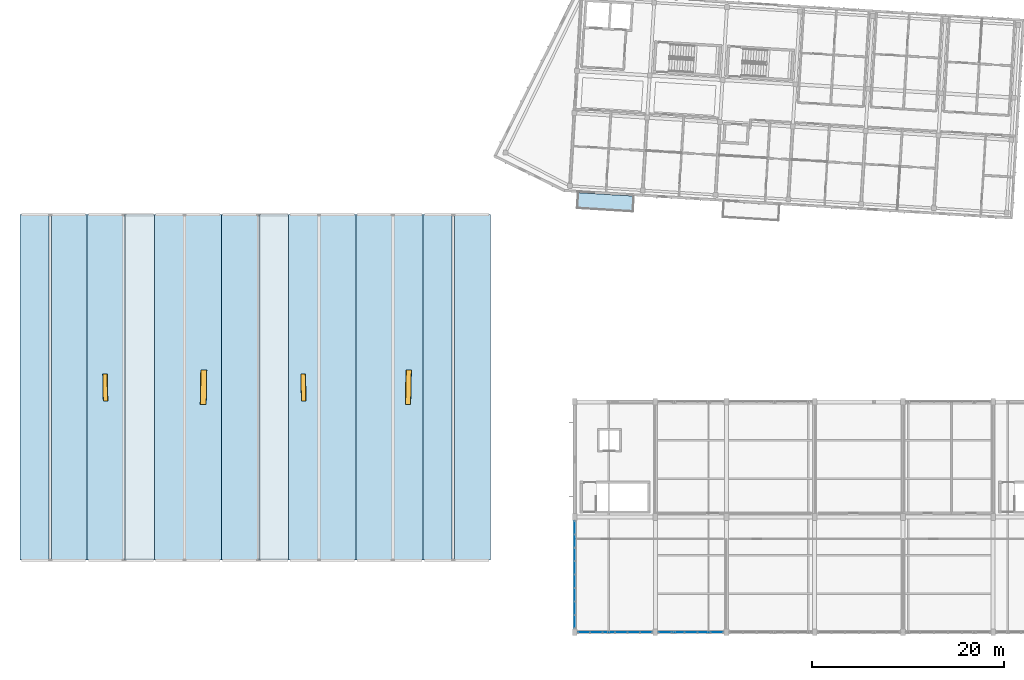
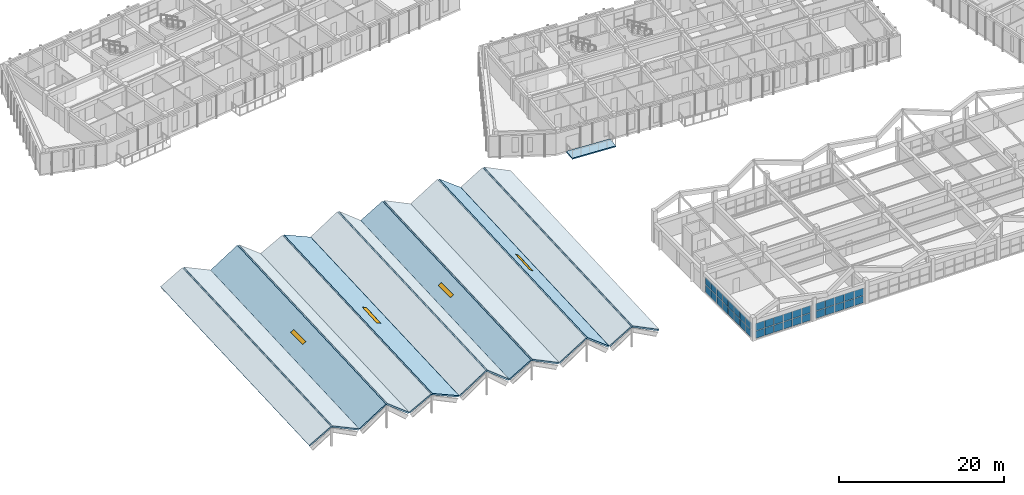
# One storey, part 66 of 127: 38 plates, 15 slabs, 4 windows, 4 openings, 3 elements without a shape of their own.
"""IFC4 building model written with IfcOpenShell, lengths in metres."""

from ifc_helpers import new_model, si_unit, direction, frame, origin, origin_2d, place, context, subcontext, project, spatial, polyline, rectangle, outline, extrude, material, layer, layer_set, type_object, element, fill, aggregate, save


model = new_model("IFC4")

# Units and contexts
model_context = context("Model", 3, precision=1e-05, world=origin(), true_north=direction((0.0, 1.0)))
body_context = subcontext(model_context, "Body", "Model", "MODEL_VIEW")
ifc_project = project(units=[si_unit("LENGTHUNIT", "METRE"), si_unit("AREAUNIT", "SQUARE_METRE"), si_unit("VOLUMEUNIT", "CUBIC_METRE"), si_unit("PLANEANGLEUNIT", "RADIAN"), si_unit("MASSUNIT", "GRAM", prefix="KILO")], contexts=[model_context])

# Site, building, storey
site_placement = place(None, origin())
site = spatial("IfcSite", under=ifc_project, at=site_placement, CompositionType="ELEMENT")
building_placement = place(site_placement, origin())
building = spatial("IfcBuilding", under=site, at=building_placement, Name="Kestramere Prow Commons", CompositionType="ELEMENT")
storey_placement = place(building_placement, frame((0.0, 0.0, 8.39990234375)))
storey = spatial("IfcBuildingStorey", under=building, at=storey_placement, Name="L02", CompositionType="ELEMENT", Elevation=8.39990234375)

# Curtain wall, plates
ifc_material_1 = material(Name="Anodised Aluminium and Low-E Glass", Category="aluminium")
curtain_wall_type_1 = type_object("IfcCurtainWallType", Name="CW-28 Glazed Curtain Wall 7800x2340", PredefinedType="USERDEFINED", material=ifc_material_1)
curtain_wall_1_placement = place(storey_placement, origin())
curtain_wall_1 = element("IfcCurtainWall", 1, at=curtain_wall_1_placement, inside=storey, type_object=curtain_wall_type_1, Name="Market L02 South Shopfront 1", ObjectType="GLAZED CURTAIN WALL", PredefinedType="USERDEFINED")
ifc_material_2 = material(Name="Low-E Laminated Double Glazing", Category="glass")
ifc_layer_1 = layer(ifc_material_2, 0.028076171875)
ifc_layer_set_1 = layer_set([ifc_layer_1], Name="Low-E Laminated Double Glazing")
plate_type = type_object("IfcPlateType", Name="CW-PNL-28", PredefinedType="CURTAIN_PANEL", material=ifc_layer_set_1)
plate_1_placement = place(storey_placement, frame((67.433837890625, 0.0, 0.06494140625), z_axis=(0.0, 0.0, 1.0), x_axis=(-1.0, 0.0, 0.0)))
plate_1 = element("IfcPlate", 2, at=plate_1_placement, type_object=plate_type, Name="CW-28 panel 1.1", PredefinedType="CURTAIN_PANEL", context=body_context, shape_type="SweptSolid", body=[
    extrude(rectangle(XDim=1.202392578125, YDim=0.028076171875, at=origin_2d()), origin(), (0.0, 0.0, 1.0), 1.072509765625),
])
plate_2_placement = place(storey_placement, frame((67.433837890625, 0.0, 1.20263671875), z_axis=(0.0, 0.0, 1.0), x_axis=(-1.0, 0.0, 0.0)))
plate_2 = element("IfcPlate", 3, at=plate_2_placement, type_object=plate_type, Name="CW-28 panel 1.2", PredefinedType="CURTAIN_PANEL", context=body_context, shape_type="SweptSolid", body=[
    extrude(rectangle(XDim=1.202392578125, YDim=0.028076171875, at=origin_2d()), origin(), (0.0, 0.0, 1.0), 1.072509765625),
])
plate_3_placement = place(storey_placement, frame((66.14990234375, 0.0, 0.06494140625), z_axis=(0.0, 0.0, 1.0), x_axis=(-1.0, 0.0, 0.0)))
plate_3 = element("IfcPlate", 4, at=plate_3_placement, type_object=plate_type, Name="CW-28 panel 2.1", PredefinedType="CURTAIN_PANEL", context=body_context, shape_type="SweptSolid", body=[
    extrude(rectangle(XDim=1.235107421875, YDim=0.028076171875, at=origin_2d()), origin(), (0.0, 0.0, 1.0), 1.072509765625),
])
plate_4_placement = place(storey_placement, frame((66.14990234375, 0.0, 1.20263671875), z_axis=(0.0, 0.0, 1.0), x_axis=(-1.0, 0.0, 0.0)))
plate_4 = element("IfcPlate", 5, at=plate_4_placement, type_object=plate_type, Name="CW-28 panel 2.2", PredefinedType="CURTAIN_PANEL", context=body_context, shape_type="SweptSolid", body=[
    extrude(rectangle(XDim=1.235107421875, YDim=0.028076171875, at=origin_2d()), origin(), (0.0, 0.0, 1.0), 1.072509765625),
])
plate_5_placement = place(storey_placement, frame((64.85009765625, 0.0, 0.06494140625), z_axis=(0.0, 0.0, 1.0), x_axis=(-1.0, 0.0, 0.0)))
plate_5 = element("IfcPlate", 6, at=plate_5_placement, type_object=plate_type, Name="CW-28 panel 3.1", PredefinedType="CURTAIN_PANEL", context=body_context, shape_type="SweptSolid", body=[
    extrude(rectangle(XDim=1.235107421875, YDim=0.028076171875, at=origin_2d()), origin(), (0.0, 0.0, 1.0), 1.072509765625),
])
plate_6_placement = place(storey_placement, frame((64.85009765625, 0.0, 1.20263671875), z_axis=(0.0, 0.0, 1.0), x_axis=(-1.0, 0.0, 0.0)))
plate_6 = element("IfcPlate", 7, at=plate_6_placement, type_object=plate_type, Name="CW-28 panel 3.2", PredefinedType="CURTAIN_PANEL", context=body_context, shape_type="SweptSolid", body=[
    extrude(rectangle(XDim=1.235107421875, YDim=0.028076171875, at=origin_2d()), origin(), (0.0, 0.0, 1.0), 1.072509765625),
])
plate_7_placement = place(storey_placement, frame((63.550048828125, 0.0, 0.06494140625), z_axis=(0.0, 0.0, 1.0), x_axis=(-1.0, 0.0, 0.0)))
plate_7 = element("IfcPlate", 8, at=plate_7_placement, type_object=plate_type, Name="CW-28 panel 4.1", PredefinedType="CURTAIN_PANEL", context=body_context, shape_type="SweptSolid", body=[
    extrude(rectangle(XDim=1.235107421875, YDim=0.028076171875, at=origin_2d()), origin(), (0.0, 0.0, 1.0), 1.072509765625),
])
plate_8_placement = place(storey_placement, frame((63.550048828125, 0.0, 1.20263671875), z_axis=(0.0, 0.0, 1.0), x_axis=(-1.0, 0.0, 0.0)))
plate_8 = element("IfcPlate", 9, at=plate_8_placement, type_object=plate_type, Name="CW-28 panel 4.2", PredefinedType="CURTAIN_PANEL", context=body_context, shape_type="SweptSolid", body=[
    extrude(rectangle(XDim=1.235107421875, YDim=0.028076171875, at=origin_2d()), origin(), (0.0, 0.0, 1.0), 1.072509765625),
])
plate_9_placement = place(storey_placement, frame((62.25, 0.0, 0.06494140625), z_axis=(0.0, 0.0, 1.0), x_axis=(-1.0, 0.0, 0.0)))
plate_9 = element("IfcPlate", 10, at=plate_9_placement, type_object=plate_type, Name="CW-28 panel 5.1", PredefinedType="CURTAIN_PANEL", context=body_context, shape_type="SweptSolid", body=[
    extrude(rectangle(XDim=1.235107421875, YDim=0.028076171875, at=origin_2d()), origin(), (0.0, 0.0, 1.0), 1.072509765625),
])
plate_10_placement = place(storey_placement, frame((62.25, 0.0, 1.20263671875), z_axis=(0.0, 0.0, 1.0), x_axis=(-1.0, 0.0, 0.0)))
plate_10 = element("IfcPlate", 11, at=plate_10_placement, type_object=plate_type, Name="CW-28 panel 5.2", PredefinedType="CURTAIN_PANEL", context=body_context, shape_type="SweptSolid", body=[
    extrude(rectangle(XDim=1.235107421875, YDim=0.028076171875, at=origin_2d()), origin(), (0.0, 0.0, 1.0), 1.072509765625),
])
plate_11_placement = place(storey_placement, frame((60.96630859375, 0.0, 0.06494140625), z_axis=(0.0, 0.0, 1.0), x_axis=(-1.0, 0.0, 0.0)))
plate_11 = element("IfcPlate", 12, at=plate_11_placement, type_object=plate_type, Name="CW-28 panel 6.1", PredefinedType="CURTAIN_PANEL", context=body_context, shape_type="SweptSolid", body=[
    extrude(rectangle(XDim=1.202392578125, YDim=0.028076171875, at=origin_2d()), origin(), (0.0, 0.0, 1.0), 1.072509765625),
])
plate_12_placement = place(storey_placement, frame((60.96630859375, 0.0, 1.20263671875), z_axis=(0.0, 0.0, 1.0), x_axis=(-1.0, 0.0, 0.0)))
plate_12 = element("IfcPlate", 13, at=plate_12_placement, type_object=plate_type, Name="CW-28 panel 6.2", PredefinedType="CURTAIN_PANEL", context=body_context, shape_type="SweptSolid", body=[
    extrude(rectangle(XDim=1.202392578125, YDim=0.028076171875, at=origin_2d()), origin(), (0.0, 0.0, 1.0), 1.072509765625),
])
aggregate(curtain_wall_1, [plate_1, plate_2, plate_3, plate_4, plate_5, plate_6, plate_7, plate_8, plate_9, plate_10, plate_11, plate_12])

curtain_wall_type_2 = type_object("IfcCurtainWallType", Name="CW-29 Glazed Curtain Wall 6800x2340", PredefinedType="USERDEFINED", material=ifc_material_1)
curtain_wall_2_placement = place(storey_placement, origin())
curtain_wall_2 = element("IfcCurtainWall", 14, at=curtain_wall_2_placement, inside=storey, type_object=curtain_wall_type_2, Name="Market L02 South Shopfront 2", ObjectType="GLAZED CURTAIN WALL", PredefinedType="USERDEFINED")
plate_13_placement = place(storey_placement, frame((74.8037109375, 0.0, 0.06494140625), z_axis=(0.0, 0.0, 1.0), x_axis=(-1.0, 0.0, 0.0)))
plate_13 = element("IfcPlate", 15, at=plate_13_placement, type_object=plate_type, Name="CW-29 panel 1.1", PredefinedType="CURTAIN_PANEL", context=body_context, shape_type="SweptSolid", body=[
    extrude(rectangle(XDim=1.262451171875, YDim=0.028076171875, at=origin_2d()), origin(), (0.0, 0.0, 1.0), 1.072509765625),
])
plate_14_placement = place(storey_placement, frame((74.8037109375, 0.0, 1.20263671875), z_axis=(0.0, 0.0, 1.0), x_axis=(-1.0, 0.0, 0.0)))
plate_14 = element("IfcPlate", 16, at=plate_14_placement, type_object=plate_type, Name="CW-29 panel 1.2", PredefinedType="CURTAIN_PANEL", context=body_context, shape_type="SweptSolid", body=[
    extrude(rectangle(XDim=1.262451171875, YDim=0.028076171875, at=origin_2d()), origin(), (0.0, 0.0, 1.0), 1.072509765625),
])
plate_15_placement = place(storey_placement, frame((73.4599609375, 0.0, 0.06494140625), z_axis=(0.0, 0.0, 1.0), x_axis=(-1.0, 0.0, 0.0)))
plate_15 = element("IfcPlate", 17, at=plate_15_placement, type_object=plate_type, Name="CW-29 panel 2.1", PredefinedType="CURTAIN_PANEL", context=body_context, shape_type="SweptSolid", body=[
    extrude(rectangle(XDim=1.294921875, YDim=0.028076171875, at=origin_2d()), origin(), (0.0, 0.0, 1.0), 1.072509765625),
])
plate_16_placement = place(storey_placement, frame((73.4599609375, 0.0, 1.20263671875), z_axis=(0.0, 0.0, 1.0), x_axis=(-1.0, 0.0, 0.0)))
plate_16 = element("IfcPlate", 18, at=plate_16_placement, type_object=plate_type, Name="CW-29 panel 2.2", PredefinedType="CURTAIN_PANEL", context=body_context, shape_type="SweptSolid", body=[
    extrude(rectangle(XDim=1.294921875, YDim=0.028076171875, at=origin_2d()), origin(), (0.0, 0.0, 1.0), 1.072509765625),
])
plate_17_placement = place(storey_placement, frame((72.10009765625, 0.0, 0.06494140625), z_axis=(0.0, 0.0, 1.0), x_axis=(-1.0, 0.0, 0.0)))
plate_17 = element("IfcPlate", 19, at=plate_17_placement, type_object=plate_type, Name="CW-29 panel 3.1", PredefinedType="CURTAIN_PANEL", context=body_context, shape_type="SweptSolid", body=[
    extrude(rectangle(XDim=1.294921875, YDim=0.028076171875, at=origin_2d()), origin(), (0.0, 0.0, 1.0), 1.072509765625),
])
plate_18_placement = place(storey_placement, frame((72.10009765625, 0.0, 1.20263671875), z_axis=(0.0, 0.0, 1.0), x_axis=(-1.0, 0.0, 0.0)))
plate_18 = element("IfcPlate", 20, at=plate_18_placement, type_object=plate_type, Name="CW-29 panel 3.2", PredefinedType="CURTAIN_PANEL", context=body_context, shape_type="SweptSolid", body=[
    extrude(rectangle(XDim=1.294921875, YDim=0.028076171875, at=origin_2d()), origin(), (0.0, 0.0, 1.0), 1.072509765625),
])
plate_19_placement = place(storey_placement, frame((70.739990234375, 0.0, 0.06494140625), z_axis=(0.0, 0.0, 1.0), x_axis=(-1.0, 0.0, 0.0)))
plate_19 = element("IfcPlate", 21, at=plate_19_placement, type_object=plate_type, Name="CW-29 panel 4.1", PredefinedType="CURTAIN_PANEL", context=body_context, shape_type="SweptSolid", body=[
    extrude(rectangle(XDim=1.294921875, YDim=0.028076171875, at=origin_2d()), origin(), (0.0, 0.0, 1.0), 1.072509765625),
])
plate_20_placement = place(storey_placement, frame((70.739990234375, 0.0, 1.20263671875), z_axis=(0.0, 0.0, 1.0), x_axis=(-1.0, 0.0, 0.0)))
plate_20 = element("IfcPlate", 22, at=plate_20_placement, type_object=plate_type, Name="CW-29 panel 4.2", PredefinedType="CURTAIN_PANEL", context=body_context, shape_type="SweptSolid", body=[
    extrude(rectangle(XDim=1.294921875, YDim=0.028076171875, at=origin_2d()), origin(), (0.0, 0.0, 1.0), 1.072509765625),
])
plate_21_placement = place(storey_placement, frame((69.396240234375, 0.0, 0.06494140625), z_axis=(0.0, 0.0, 1.0), x_axis=(-1.0, 0.0, 0.0)))
plate_21 = element("IfcPlate", 23, at=plate_21_placement, type_object=plate_type, Name="CW-29 panel 5.1", PredefinedType="CURTAIN_PANEL", context=body_context, shape_type="SweptSolid", body=[
    extrude(rectangle(XDim=1.262451171875, YDim=0.028076171875, at=origin_2d()), origin(), (0.0, 0.0, 1.0), 1.072509765625),
])
plate_22_placement = place(storey_placement, frame((69.396240234375, 0.0, 1.20263671875), z_axis=(0.0, 0.0, 1.0), x_axis=(-1.0, 0.0, 0.0)))
plate_22 = element("IfcPlate", 24, at=plate_22_placement, type_object=plate_type, Name="CW-29 panel 5.2", PredefinedType="CURTAIN_PANEL", context=body_context, shape_type="SweptSolid", body=[
    extrude(rectangle(XDim=1.262451171875, YDim=0.028076171875, at=origin_2d()), origin(), (0.0, 0.0, 1.0), 1.072509765625),
])
aggregate(curtain_wall_2, [plate_13, plate_14, plate_15, plate_16, plate_17, plate_18, plate_19, plate_20, plate_21, plate_22])

curtain_wall_type_3 = type_object("IfcCurtainWallType", Name="CW-32 Glazed Curtain Wall 11200x2340", PredefinedType="USERDEFINED", material=ifc_material_1)
curtain_wall_3_placement = place(storey_placement, origin())
curtain_wall_3 = element("IfcCurtainWall", 25, at=curtain_wall_3_placement, inside=storey, type_object=curtain_wall_type_3, Name="Market L02 W Glazing", ObjectType="GLAZED CURTAIN WALL", PredefinedType="USERDEFINED")
plate_23_placement = place(storey_placement, frame((60.0, 1.1162109375, 0.06494140625), z_axis=(0.0, 0.0, 1.0), x_axis=(0.0, 1.0, 0.0)))
plate_23 = element("IfcPlate", 26, at=plate_23_placement, type_object=plate_type, Name="CW-32 panel 1.1", PredefinedType="CURTAIN_PANEL", context=body_context, shape_type="SweptSolid", body=[
    extrude(rectangle(XDim=1.302490234375, YDim=0.028076171875, at=origin_2d()), origin(), (0.0, 0.0, 1.0), 1.072509765625),
])
plate_24_placement = place(storey_placement, frame((60.0, 1.1162109375, 1.20263671875), z_axis=(0.0, 0.0, 1.0), x_axis=(0.0, 1.0, 0.0)))
plate_24 = element("IfcPlate", 27, at=plate_24_placement, type_object=plate_type, Name="CW-32 panel 1.2", PredefinedType="CURTAIN_PANEL", context=body_context, shape_type="SweptSolid", body=[
    extrude(rectangle(XDim=1.302490234375, YDim=0.028076171875, at=origin_2d()), origin(), (0.0, 0.0, 1.0), 1.072509765625),
])
plate_25_placement = place(storey_placement, frame((60.0, 2.5, 0.06494140625), z_axis=(0.0, 0.0, 1.0), x_axis=(0.0, 1.0, 0.0)))
plate_25 = element("IfcPlate", 28, at=plate_25_placement, type_object=plate_type, Name="CW-32 panel 2.1", PredefinedType="CURTAIN_PANEL", context=body_context, shape_type="SweptSolid", body=[
    extrude(rectangle(XDim=1.3349609375, YDim=0.028076171875, at=origin_2d()), origin(), (0.0, 0.0, 1.0), 1.072509765625),
])
plate_26_placement = place(storey_placement, frame((60.0, 2.5, 1.20263671875), z_axis=(0.0, 0.0, 1.0), x_axis=(0.0, 1.0, 0.0)))
plate_26 = element("IfcPlate", 29, at=plate_26_placement, type_object=plate_type, Name="CW-32 panel 2.2", PredefinedType="CURTAIN_PANEL", context=body_context, shape_type="SweptSolid", body=[
    extrude(rectangle(XDim=1.3349609375, YDim=0.028076171875, at=origin_2d()), origin(), (0.0, 0.0, 1.0), 1.072509765625),
])
plate_27_placement = place(storey_placement, frame((60.0, 3.89990234375, 0.06494140625), z_axis=(0.0, 0.0, 1.0), x_axis=(0.0, 1.0, 0.0)))
plate_27 = element("IfcPlate", 30, at=plate_27_placement, type_object=plate_type, Name="CW-32 panel 3.1", PredefinedType="CURTAIN_PANEL", context=body_context, shape_type="SweptSolid", body=[
    extrude(rectangle(XDim=1.3349609375, YDim=0.028076171875, at=origin_2d()), origin(), (0.0, 0.0, 1.0), 1.072509765625),
])
plate_28_placement = place(storey_placement, frame((60.0, 3.89990234375, 1.20263671875), z_axis=(0.0, 0.0, 1.0), x_axis=(0.0, 1.0, 0.0)))
plate_28 = element("IfcPlate", 31, at=plate_28_placement, type_object=plate_type, Name="CW-32 panel 3.2", PredefinedType="CURTAIN_PANEL", context=body_context, shape_type="SweptSolid", body=[
    extrude(rectangle(XDim=1.3349609375, YDim=0.028076171875, at=origin_2d()), origin(), (0.0, 0.0, 1.0), 1.072509765625),
])
plate_29_placement = place(storey_placement, frame((60.0, 5.300048828125, 0.06494140625), z_axis=(0.0, 0.0, 1.0), x_axis=(0.0, 1.0, 0.0)))
plate_29 = element("IfcPlate", 32, at=plate_29_placement, type_object=plate_type, Name="CW-32 panel 4.1", PredefinedType="CURTAIN_PANEL", context=body_context, shape_type="SweptSolid", body=[
    extrude(rectangle(XDim=1.3349609375, YDim=0.028076171875, at=origin_2d()), origin(), (0.0, 0.0, 1.0), 1.072509765625),
])
plate_30_placement = place(storey_placement, frame((60.0, 5.300048828125, 1.20263671875), z_axis=(0.0, 0.0, 1.0), x_axis=(0.0, 1.0, 0.0)))
plate_30 = element("IfcPlate", 33, at=plate_30_placement, type_object=plate_type, Name="CW-32 panel 4.2", PredefinedType="CURTAIN_PANEL", context=body_context, shape_type="SweptSolid", body=[
    extrude(rectangle(XDim=1.3349609375, YDim=0.028076171875, at=origin_2d()), origin(), (0.0, 0.0, 1.0), 1.072509765625),
])
plate_31_placement = place(storey_placement, frame((60.0, 6.699951171875, 0.06494140625), z_axis=(0.0, 0.0, 1.0), x_axis=(0.0, 1.0, 0.0)))
plate_31 = element("IfcPlate", 34, at=plate_31_placement, type_object=plate_type, Name="CW-32 panel 5.1", PredefinedType="CURTAIN_PANEL", context=body_context, shape_type="SweptSolid", body=[
    extrude(rectangle(XDim=1.3349609375, YDim=0.028076171875, at=origin_2d()), origin(), (0.0, 0.0, 1.0), 1.072509765625),
])
plate_32_placement = place(storey_placement, frame((60.0, 6.699951171875, 1.20263671875), z_axis=(0.0, 0.0, 1.0), x_axis=(0.0, 1.0, 0.0)))
plate_32 = element("IfcPlate", 35, at=plate_32_placement, type_object=plate_type, Name="CW-32 panel 5.2", PredefinedType="CURTAIN_PANEL", context=body_context, shape_type="SweptSolid", body=[
    extrude(rectangle(XDim=1.3349609375, YDim=0.028076171875, at=origin_2d()), origin(), (0.0, 0.0, 1.0), 1.072509765625),
])
plate_33_placement = place(storey_placement, frame((60.0, 8.10009765625, 0.06494140625), z_axis=(0.0, 0.0, 1.0), x_axis=(0.0, 1.0, 0.0)))
plate_33 = element("IfcPlate", 36, at=plate_33_placement, type_object=plate_type, Name="CW-32 panel 6.1", PredefinedType="CURTAIN_PANEL", context=body_context, shape_type="SweptSolid", body=[
    extrude(rectangle(XDim=1.3349609375, YDim=0.028076171875, at=origin_2d()), origin(), (0.0, 0.0, 1.0), 1.072509765625),
])
plate_34_placement = place(storey_placement, frame((60.0, 8.10009765625, 1.20263671875), z_axis=(0.0, 0.0, 1.0), x_axis=(0.0, 1.0, 0.0)))
plate_34 = element("IfcPlate", 37, at=plate_34_placement, type_object=plate_type, Name="CW-32 panel 6.2", PredefinedType="CURTAIN_PANEL", context=body_context, shape_type="SweptSolid", body=[
    extrude(rectangle(XDim=1.3349609375, YDim=0.028076171875, at=origin_2d()), origin(), (0.0, 0.0, 1.0), 1.072509765625),
])
plate_35_placement = place(storey_placement, frame((60.0, 9.5, 0.06494140625), z_axis=(0.0, 0.0, 1.0), x_axis=(0.0, 1.0, 0.0)))
plate_35 = element("IfcPlate", 38, at=plate_35_placement, type_object=plate_type, Name="CW-32 panel 7.1", PredefinedType="CURTAIN_PANEL", context=body_context, shape_type="SweptSolid", body=[
    extrude(rectangle(XDim=1.3349609375, YDim=0.028076171875, at=origin_2d()), origin(), (0.0, 0.0, 1.0), 1.072509765625),
])
plate_36_placement = place(storey_placement, frame((60.0, 9.5, 1.20263671875), z_axis=(0.0, 0.0, 1.0), x_axis=(0.0, 1.0, 0.0)))
plate_36 = element("IfcPlate", 39, at=plate_36_placement, type_object=plate_type, Name="CW-32 panel 7.2", PredefinedType="CURTAIN_PANEL", context=body_context, shape_type="SweptSolid", body=[
    extrude(rectangle(XDim=1.3349609375, YDim=0.028076171875, at=origin_2d()), origin(), (0.0, 0.0, 1.0), 1.072509765625),
])
plate_37_placement = place(storey_placement, frame((60.0, 10.8837890625, 0.06494140625), z_axis=(0.0, 0.0, 1.0), x_axis=(0.0, 1.0, 0.0)))
plate_37 = element("IfcPlate", 40, at=plate_37_placement, type_object=plate_type, Name="CW-32 panel 8.1", PredefinedType="CURTAIN_PANEL", context=body_context, shape_type="SweptSolid", body=[
    extrude(rectangle(XDim=1.302490234375, YDim=0.028076171875, at=origin_2d()), origin(), (0.0, 0.0, 1.0), 1.072509765625),
])
plate_38_placement = place(storey_placement, frame((60.0, 10.8837890625, 1.20263671875), z_axis=(0.0, 0.0, 1.0), x_axis=(0.0, 1.0, 0.0)))
plate_38 = element("IfcPlate", 41, at=plate_38_placement, type_object=plate_type, Name="CW-32 panel 8.2", PredefinedType="CURTAIN_PANEL", context=body_context, shape_type="SweptSolid", body=[
    extrude(rectangle(XDim=1.302490234375, YDim=0.028076171875, at=origin_2d()), origin(), (0.0, 0.0, 1.0), 1.072509765625),
])
aggregate(curtain_wall_3, [plate_23, plate_24, plate_25, plate_26, plate_27, plate_28, plate_29, plate_30, plate_31, plate_32, plate_33, plate_34, plate_35, plate_36, plate_37, plate_38])

# Slabs
ifc_material_3 = material(Name="Precast concrete C40/50", Category="concrete")
ifc_layer_2 = layer(ifc_material_3, 0.179931640625)
ifc_layer_set_2 = layer_set([ifc_layer_2], Name="Precast concrete C40/50")
slab_type_1 = type_object("IfcSlabType", Name="SL-BALC-180", PredefinedType="FLOOR", material=ifc_layer_set_2)
slab_1_placement = place(storey_placement, frame((0.0, 0.0, -0.179931640625)))
element("IfcSlab", 42, at=slab_1_placement, inside=storey, type_object=slab_type_1, Name="Block C L02 Apartment Balcony Slab 1", PredefinedType="FLOOR", context=body_context, shape_type="SweptSolid", body=[
    extrude(outline(polyline([(60.2080078125, 44.15234375), (66.096923828125, 43.792236328125), (66.19775390625, 45.439208984375), (60.308837890625, 45.79931640625), (60.2080078125, 44.15234375)])), origin(), (0.0, 0.0, 1.0), 0.179931640625),
])
ifc_layer_3 = layer(ifc_material_3, 0.219970703125)
ifc_layer_set_3 = layer_set([ifc_layer_3], Name="Precast concrete C40/50")
slab_type_2 = type_object("IfcSlabType", Name="SL-ROOF-FOLD-220", PredefinedType="ROOF", material=ifc_layer_set_3)
slab_2_placement = place(storey_placement, frame((2.199951171875, 7.5, 0.050048828125), z_axis=(-0.49572023229, -0.039764280674, 0.867571468688), x_axis=(0.868258160529, 1.204672e-06, 0.496112655224)))
element("IfcSlab", 43, at=slab_2_placement, inside=storey, type_object=slab_type_2, Name="Hall Folded-Plate Roof Pleat 1A", PredefinedType="ROOF", context=body_context, shape_type="SweptSolid", body=[
    extrude(outline(polyline([(0.0, 0.0), (3.4957445689471154, -6.938893903907228e-18), (4.31432536975176, 36.02849015994495), (0.8187019220583612, 36.02849858891565), (0.0, 0.0)])), origin(), (0.0, 0.0, -1.0), 0.219970703125),
])
slab_3_placement = place(storey_placement, frame((5.465087890625, 7.5, 1.79638671875), z_axis=(0.423173962089, -0.04148428385, 0.905098255441), x_axis=(0.90587805508, -1.111678e-06, -0.42353860429)))
element("IfcSlab", 44, at=slab_3_placement, inside=storey, type_object=slab_type_2, Name="Hall Folded-Plate Roof Pleat 1B", PredefinedType="ROOF", context=body_context, shape_type="SweptSolid", body=[
    extrude(outline(polyline([(0.0, 0.0), (4.12297219802111, 1.3877787807814457e-17), (3.424031438749982, 36.03102087400131), (-0.6988373562915645, 36.03101169938414), (0.0, 0.0)])), origin(), (0.0, 0.0, -1.0), 0.219970703125),
])

# Slab, opening, window
slab_4_placement = place(storey_placement, frame((9.199951171875, 7.5, 0.050048828125), z_axis=(-0.536465642402, -0.038639772967, 0.843037118084), x_axis=(0.843667145756, 8.98158e-07, 0.536866600909)))
slab_4 = element("IfcSlab", 45, at=slab_4_placement, inside=storey, type_object=slab_type_2, Name="Hall Folded-Plate Roof Pleat 2A", PredefinedType="ROOF", context=body_context, shape_type="SweptSolid", body=[
    extrude(outline(polyline([(0.0, 0.0), (4.4272941624430775, -4.163336342344337e-17), (5.313103959266633, 36.02689993237238), (0.885940867771043, 36.02690789102109), (0.0, 0.0)])), origin(), (0.0, 0.0, -1.0), 0.219970703125),
])
opening_1_placement = place(slab_4_placement, frame((2.656494140625, 18.013427734375, 0.0), z_axis=(0.0, 0.0, 1.0), x_axis=(1.0, 0.0, 0.0)))
opening_1 = element("IfcOpeningElement", 46, at=opening_1_placement, cuts=slab_4, Name="Opening SK-03", PredefinedType="OPENING", context=body_context, shape_type="SweptSolid", body=[
    extrude(rectangle(XDim=0.52001953125, YDim=2.85009765625, at=origin_2d()), frame((0.0, 0.0, 0.014892578125), z_axis=(0.0, 0.0, -1.0), x_axis=(1.0, 0.0, 0.0)), (0.0, 0.0, 1.0), 0.25),
])
ifc_material_4 = material(Name="Triple-Laminated Solar-Control Skylight Glazing", Category="glass")
window_type_1 = type_object("IfcWindowType", Name="SK-FOLD-1800", PartitioningType="SINGLE_PANEL", PredefinedType="SKYLIGHT", material=ifc_material_4)
window_1_placement = place(opening_1_placement, frame((0.0, 0.0, -0.010009765625)))
window_1 = element("IfcWindow", 47, at=window_1_placement, inside=storey, type_object=window_type_1, Name="Hall Folded-Roof Slot Skylight 3", OverallHeight=2.85009765625, OverallWidth=0.52001953125, PartitioningType="SINGLE_PANEL", PredefinedType="SKYLIGHT", context=body_context, shape_type="SweptSolid", body=[
    extrude(rectangle(XDim=0.52001953125, YDim=2.85009765625, at=origin_2d()), frame((0.0, 0.0, 0.0), z_axis=(0.0, 0.0, -1.0), x_axis=(1.0, 0.0, 0.0)), (0.0, 0.0, 1.0), 0.06005859375),
])
fill(opening_1, window_1)

# Slabs
slab_5_placement = place(storey_placement, frame((13.1650390625, 7.5, 2.41064453125), z_axis=(0.613537005643, -0.036155601973, 0.788837825635), x_axis=(0.789353906844, -9.05504e-07, -0.613938441336)))
element("IfcSlab", 48, at=slab_5_placement, inside=storey, type_object=slab_type_2, Name="Hall Folded-Plate Roof Pleat 2B", PredefinedType="ROOF", context=body_context, shape_type="SweptSolid", body=[
    extrude(outline(polyline([(0.0, 0.0), (3.844880177062837, 0.0), (2.8317592183114826, 36.02355575638753), (-1.0129710714365747, 36.02354878885577), (0.0, 0.0)])), origin(), (0.0, 0.0, -1.0), 0.219970703125),
])
slab_6_placement = place(storey_placement, frame((16.199951171875, 7.5, 0.050048828125), z_axis=(-0.474528411594, -0.040305603427, 0.879316919502), x_axis=(0.880032034408, 0.0, 0.474914327449)))
element("IfcSlab", 49, at=slab_6_placement, inside=storey, type_object=slab_type_2, Name="Hall Folded-Plate Roof Pleat 3A", PredefinedType="ROOF", context=body_context, shape_type="SweptSolid", body=[
    extrude(outline(polyline([(0.0, 0.0), (3.4489156432156305, 0.0), (4.232593851034396, 36.02927742664964), (0.7836782078187651, 36.02927742664964), (0.0, 0.0)])), origin(), (0.0, 0.0, -1.0), 0.219970703125),
])

# Slab, opening, window
slab_7_placement = place(storey_placement, frame((19.465087890625, 7.5, 1.69921875), z_axis=(0.403579986934, -0.041894684373, 0.91398469876), x_axis=(0.91478785295, 0.0, -0.403934628492)))
slab_7 = element("IfcSlab", 50, at=slab_7_placement, inside=storey, type_object=slab_type_2, Name="Hall Folded-Plate Roof Pleat 3B", PredefinedType="ROOF", context=body_context, shape_type="SweptSolid", body=[
    extrude(outline(polyline([(0.0, 0.0), (4.082764401829563, 0.0), (3.4162130947055154, 36.031634611475326), (-0.6665513071240472, 36.031634611475326), (0.0, 0.0)])), origin(), (0.0, 0.0, -1.0), 0.219970703125),
])
opening_2_placement = place(slab_7_placement, frame((1.7080078125, 18.015869140625, 0.0), z_axis=(0.0, 0.0, 1.0), x_axis=(1.0, 0.0, 0.0)))
opening_2 = element("IfcOpeningElement", 51, at=opening_2_placement, cuts=slab_7, Name="Opening SK-04", PredefinedType="OPENING", context=body_context, shape_type="SweptSolid", body=[
    extrude(rectangle(XDim=0.64990234375, YDim=3.60009765625, at=origin_2d()), frame((0.0, 0.0, 0.014892578125), z_axis=(0.0, 0.0, -1.0), x_axis=(1.0, 0.0, 0.0)), (0.0, 0.0, 1.0), 0.25),
])
window_type_2 = type_object("IfcWindowType", Name="SK-FOLD-2200", PartitioningType="SINGLE_PANEL", PredefinedType="SKYLIGHT", material=ifc_material_4)
window_2_placement = place(opening_2_placement, frame((0.0, 0.0, -0.010009765625)))
window_2 = element("IfcWindow", 52, at=window_2_placement, inside=storey, type_object=window_type_2, Name="Hall Folded-Roof Slot Skylight 6", OverallHeight=3.60009765625, OverallWidth=0.64990234375, PartitioningType="SINGLE_PANEL", PredefinedType="SKYLIGHT", context=body_context, shape_type="SweptSolid", body=[
    extrude(rectangle(XDim=0.64990234375, YDim=3.60009765625, at=origin_2d()), frame((0.0, 0.0, 0.0), z_axis=(0.0, 0.0, -1.0), x_axis=(1.0, 0.0, 0.0)), (0.0, 0.0, 1.0), 0.06005859375),
])
fill(opening_2, window_2)

# Slabs
slab_8_placement = place(storey_placement, frame((23.199951171875, 7.5, 0.050048828125), z_axis=(-0.544187428201, -0.0384155797, 0.838083698818), x_axis=(0.838702787964, 0.0, 0.544589417324)))
element("IfcSlab", 53, at=slab_8_placement, inside=storey, type_object=slab_type_2, Name="Hall Folded-Plate Roof Pleat 4A", PredefinedType="ROOF", context=body_context, shape_type="SweptSolid", body=[
    extrude(outline(polyline([(0.0, 0.0), (4.453433892763415, -1.3877787807814457e-17), (5.35208620518808, 36.026593059034454), (0.8986523124246651, 36.026593059034454), (0.0, 0.0)])), origin(), (0.0, 0.0, -1.0), 0.219970703125),
])
slab_9_placement = place(storey_placement, frame((27.1650390625, 7.5, 2.458740234375), z_axis=(0.62126246939, -0.03588063097, 0.782780636225), x_axis=(0.783285006877, 0.0, -0.621662768711)))
element("IfcSlab", 54, at=slab_9_placement, inside=storey, type_object=slab_type_2, Name="Hall Folded-Plate Roof Pleat 4B", PredefinedType="ROOF", context=body_context, shape_type="SweptSolid", body=[
    extrude(outline(polyline([(0.0, 0.0), (3.8745949210431814, -1.3877787807814457e-17), (2.8487602887875902, 36.02319595381787), (-1.025834632255591, 36.02319595381786), (0.0, 0.0)])), origin(), (0.0, 0.0, -1.0), 0.219970703125),
])

# Slab, opening, window
slab_10_placement = place(storey_placement, frame((30.199951171875, 7.5, 0.050048828125), z_axis=(-0.506009559224, -0.03949456839, 0.861623180423), x_axis=(0.862295956519, 0.0, 0.506404663654)))
slab_10 = element("IfcSlab", 55, at=slab_10_placement, inside=storey, type_object=slab_type_2, Name="Hall Folded-Plate Roof Pleat 5A", PredefinedType="ROOF", context=body_context, shape_type="SweptSolid", body=[
    extrude(outline(polyline([(0.0, 0.0), (3.519854438668309, 2.0816681711721685e-17), (4.355496314068125, 36.02810966559269), (0.8356418753998162, 36.02810966559269), (0.0, 0.0)])), origin(), (0.0, 0.0, -1.0), 0.219970703125),
])
opening_3_placement = place(slab_10_placement, frame((2.177734375, 18.01416015625, 0.0), z_axis=(0.0, 0.0, 1.0), x_axis=(1.0, 0.0, 0.0)))
opening_3 = element("IfcOpeningElement", 56, at=opening_3_placement, cuts=slab_10, Name="Opening SK-03", PredefinedType="OPENING", context=body_context, shape_type="SweptSolid", body=[
    extrude(rectangle(XDim=0.52001953125, YDim=2.85009765625, at=origin_2d()), frame((0.0, 0.0, 0.014892578125), z_axis=(0.0, 0.0, -1.0), x_axis=(1.0, 0.0, 0.0)), (0.0, 0.0, 1.0), 0.25),
])
window_3_placement = place(opening_3_placement, frame((0.0, 0.0, -0.010009765625)))
window_3 = element("IfcWindow", 57, at=window_3_placement, inside=storey, type_object=window_type_1, Name="Hall Folded-Roof Slot Skylight 9", OverallHeight=2.85009765625, OverallWidth=0.52001953125, PartitioningType="SINGLE_PANEL", PredefinedType="SKYLIGHT", context=body_context, shape_type="SweptSolid", body=[
    extrude(rectangle(XDim=0.52001953125, YDim=2.85009765625, at=origin_2d()), frame((0.0, 0.0, 0.0), z_axis=(0.0, 0.0, -1.0), x_axis=(1.0, 0.0, 0.0)), (0.0, 0.0, 1.0), 0.06005859375),
])
fill(opening_3, window_3)

# Slabs
slab_11_placement = place(storey_placement, frame((33.465087890625, 7.5, 1.8447265625), z_axis=(0.432743025782, -0.041279868859, 0.900571732881), x_axis=(0.901340014432, 0.0, -0.433112200686)))
element("IfcSlab", 58, at=slab_11_placement, inside=storey, type_object=slab_type_2, Name="Hall Folded-Plate Roof Pleat 5B", PredefinedType="ROOF", context=body_context, shape_type="SweptSolid", body=[
    extrude(outline(polyline([(0.0, 0.0), (4.143678546882094, 0.0), (3.4289799715803584, 36.03071175214773), (-0.7146985753017351, 36.03071175214773), (0.0, 0.0)])), origin(), (0.0, 0.0, -1.0), 0.219970703125),
])
slab_12_placement = place(storey_placement, frame((37.199951171875, 7.5, 0.050048828125), z_axis=(-0.528586696348, -0.038866741275, 0.84798908063), x_axis=(0.848630284547, 9.14087e-07, 0.528986427188)))
element("IfcSlab", 59, at=slab_12_placement, inside=storey, type_object=slab_type_2, Name="Hall Folded-Plate Roof Pleat 6A", PredefinedType="ROOF", context=body_context, shape_type="SweptSolid", body=[
    extrude(outline(polyline([(0.0, 0.0), (4.401400947112783, 2.7755575615628914e-17), (5.274209800272947, 36.027217245286124), (0.8729380002371147, 36.027225297778934), (0.0, 0.0)])), origin(), (0.0, 0.0, -1.0), 0.219970703125),
])

# Slab, opening, window
slab_13_placement = place(storey_placement, frame((41.1650390625, 7.5, 2.362548828125), z_axis=(0.60565145254, -0.036433251804, 0.794895550496), x_axis=(0.795423620774, -9.26535e-07, -0.606053845392)))
slab_13 = element("IfcSlab", 60, at=slab_13_placement, inside=storey, type_object=slab_type_2, Name="Hall Folded-Plate Roof Pleat 6B", PredefinedType="ROOF", context=body_context, shape_type="SweptSolid", body=[
    extrude(outline(polyline([(0.0, 0.0), (3.81554029623795, 2.7755575615628914e-17), (2.8154293186486883, 36.02391929597591), (-0.9999630152246639, 36.02391222094956), (0.0, 0.0)])), origin(), (0.0, 0.0, -1.0), 0.219970703125),
])
opening_4_placement = place(slab_13_placement, frame((1.40771484375, 18.011962890625, 0.0), z_axis=(0.0, 0.0, 1.0), x_axis=(1.0, 0.0, 0.0)))
opening_4 = element("IfcOpeningElement", 61, at=opening_4_placement, cuts=slab_13, Name="Opening SK-04", PredefinedType="OPENING", context=body_context, shape_type="SweptSolid", body=[
    extrude(rectangle(XDim=0.64990234375, YDim=3.60009765625, at=origin_2d()), frame((0.0, 0.0, 0.014892578125), z_axis=(0.0, 0.0, -1.0), x_axis=(1.0, 0.0, 0.0)), (0.0, 0.0, 1.0), 0.25),
])
window_4_placement = place(opening_4_placement, frame((0.0, 0.0, -0.010009765625)))
window_4 = element("IfcWindow", 62, at=window_4_placement, inside=storey, type_object=window_type_2, Name="Hall Folded-Roof Slot Skylight 12", OverallHeight=3.60009765625, OverallWidth=0.64990234375, PartitioningType="SINGLE_PANEL", PredefinedType="SKYLIGHT", context=body_context, shape_type="SweptSolid", body=[
    extrude(rectangle(XDim=0.64990234375, YDim=3.60009765625, at=origin_2d()), frame((0.0, 0.0, 0.0), z_axis=(0.0, 0.0, -1.0), x_axis=(1.0, 0.0, 0.0)), (0.0, 0.0, 1.0), 0.06005859375),
])
fill(opening_4, window_4)

# Slabs
slab_14_placement = place(storey_placement, frame((44.199951171875, 7.5, 0.050048828125), z_axis=(-0.516062117615, -0.03922089892, 0.855652740223), x_axis=(0.856311616755, 0.0, 0.516459499874)))
element("IfcSlab", 63, at=slab_14_placement, inside=storey, type_object=slab_type_2, Name="Hall Folded-Plate Roof Pleat 7A", PredefinedType="ROOF", context=body_context, shape_type="SweptSolid", body=[
    extrude(outline(polyline([(0.0, 0.0), (3.5444529662001583, 0.0), (4.396686794239008, 36.027721006500556), (0.8522338280388494, 36.027721006500556), (0.0, 0.0)])), origin(), (0.0, 0.0, -1.0), 0.219970703125),
])
slab_15_placement = place(storey_placement, frame((47.465087890625, 7.5, 1.893310546875), z_axis=(0.442191641099, -0.041069388014, 0.895979831196), x_axis=(0.896736410605, 0.0, -0.44256503465)))
element("IfcSlab", 64, at=slab_15_placement, inside=storey, type_object=slab_type_2, Name="Hall Folded-Plate Roof Pleat 7B", PredefinedType="ROOF", context=body_context, shape_type="SweptSolid", body=[
    extrude(outline(polyline([(0.0, 0.0), (4.164951079357202, 0.0), (3.4346539433227097, 36.03039896411077), (-0.7302971360344924, 36.03039896411077), (0.0, 0.0)])), origin(), (0.0, 0.0, -1.0), 0.219970703125),
])

save(model, "model.ifc")
